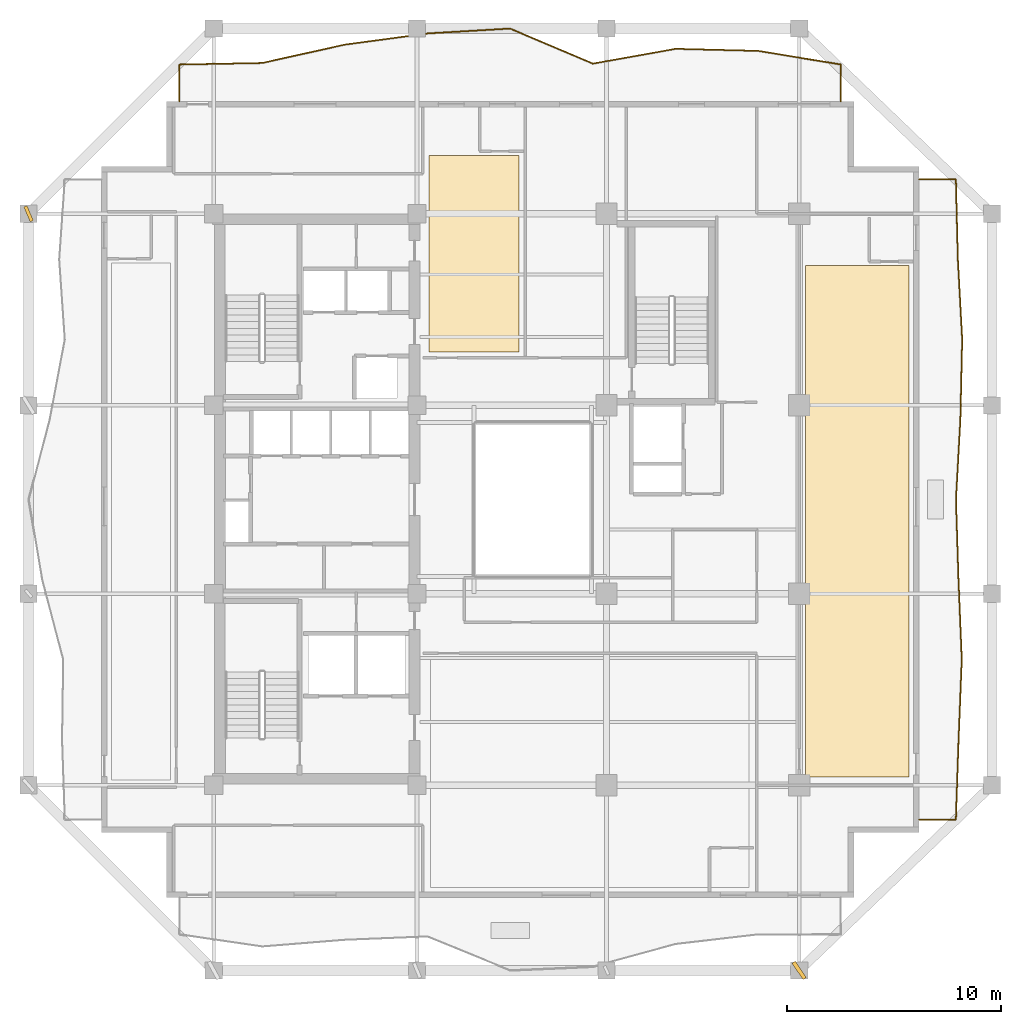
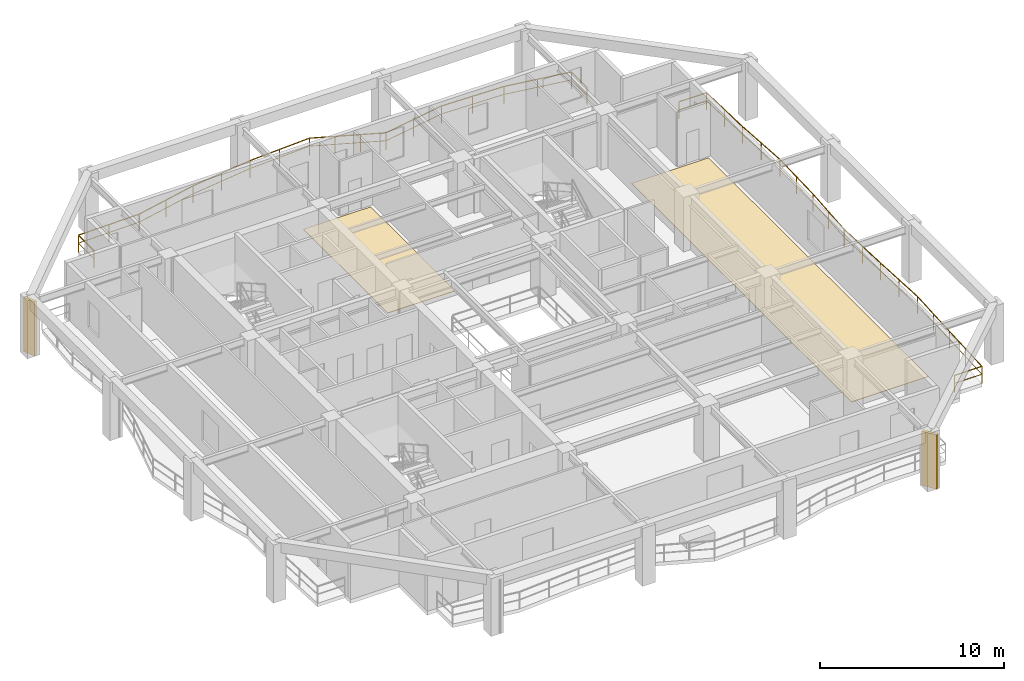
# One storey, part 9 of 10: 2 coverings, 2 railings, 2 shading devices.
"""IFC4 building model written with IfcOpenShell, lengths in metres."""

from ifc_helpers import new_model, si_unit, direction, frame, origin, origin_2d, place, context, subcontext, project, spatial, polyline, rectangle, outline, extrude, material, layer, layer_set, type_object, element, save


model = new_model("IFC4")

# Units and contexts
model_context = context("Model", 3, precision=1e-05, world=origin(), true_north=direction((0.0, 1.0)))
body_context = subcontext(model_context, "Body", "Model", "MODEL_VIEW")
ifc_project = project(units=[si_unit("LENGTHUNIT", "METRE"), si_unit("AREAUNIT", "SQUARE_METRE"), si_unit("VOLUMEUNIT", "CUBIC_METRE"), si_unit("PLANEANGLEUNIT", "RADIAN"), si_unit("MASSUNIT", "GRAM", prefix="KILO")], contexts=[model_context])

# Site, building, storey
site_placement = place(None, origin())
site = spatial("IfcSite", under=ifc_project, at=site_placement, CompositionType="ELEMENT")
building_placement = place(site_placement, origin())
building = spatial("IfcBuilding", under=site, at=building_placement, Name="Kundavana Baori Tower", CompositionType="ELEMENT")
storey_placement = place(building_placement, frame((0.0, 0.0, 107.85009765625)))
storey = spatial("IfcBuildingStorey", under=building, at=storey_placement, Name="L25", CompositionType="ELEMENT", Elevation=107.85009765625)

# Coverings
ifc_material_1 = material(Name="Honed Kota Stone and Terrazzo Flooring", Category="masonry")
ifc_layer = layer(ifc_material_1, 0.030029296875, Name="COV-INT-FLR")
ifc_layer_set = layer_set([ifc_layer], Name="Honed Kota Stone and Terrazzo Flooring")
covering_type = type_object("IfcCoveringType", Name="COV-INT-FLR", PredefinedType="FLOORING", material=ifc_layer_set)
covering_1_placement = place(storey_placement, origin())
element("IfcCovering", 1, at=covering_1_placement, inside=storey, type_object=covering_type, Name="L25 Room Finished Stone Flooring 3", PredefinedType="FLOORING", context=body_context, shape_type="SweptSolid", body=[
    extrude(outline(polyline([(43.10009765625, 15.6298828125), (47.919921875, 15.6298828125), (47.919921875, 39.52001953125), (43.10009765625, 39.52001953125), (43.10009765625, 15.6298828125)])), origin(), (0.0, 0.0, 1.0), 0.02978515625),
])
covering_2_placement = place(storey_placement, origin())
element("IfcCovering", 2, at=covering_2_placement, inside=storey, type_object=covering_type, Name="L25 Room Finished Stone Flooring 4", PredefinedType="FLOORING", context=body_context, shape_type="SweptSolid", body=[
    extrude(outline(polyline([(25.5, 35.5), (29.719970703125, 35.5), (29.719970703125, 44.669921875), (25.5, 44.669921875), (25.5, 35.5)])), origin(), (0.0, 0.0, 1.0), 0.02978515625),
])

# Railings
ifc_material_2 = material(Name="Architectural Patinated Bronze Metalwork")
railing_type = type_object("IfcRailingType", Name="RL-BAL-1150", PredefinedType="BALUSTRADE", material=ifc_material_2)
railing_1_placement = place(storey_placement, frame((48.39990234375, 43.550048828125, 0.0)))
element("IfcRailing", 3, at=railing_1_placement, inside=storey, type_object=railing_type, Name="L25 Loggia Balcony Balustrade E", PredefinedType="BALUSTRADE", context=body_context, shape_type="SweptSolid", body=[
    extrude(rectangle(XDim=0.048095703125, YDim=0.048095703125, at=origin_2d()), frame((0.0, 0.0, 1.1259765625), z_axis=(1.0, 0.0, 0.0), x_axis=(0.0, 1.0, 0.0)), (0.0, 0.0, 1.0), 1.72021484375),
    extrude(rectangle(XDim=0.03125, YDim=0.03125, at=origin_2d()), frame((0.0, 0.0, 0.597900390625), z_axis=(1.0, 0.0, 0.0), x_axis=(0.0, 1.0, 0.0)), (0.0, 0.0, 1.0), 1.72021484375),
    extrude(rectangle(XDim=0.048095703125, YDim=0.048095703125, at=origin_2d()), frame((1.72021484375, 0.0, 1.1259765625), z_axis=(0.025398374515, -0.999677409254, 0.0), x_axis=(0.999677409254, 0.025398374515, 0.0)), (0.0, 0.0, 1.0), 3.7392578125),
    extrude(rectangle(XDim=0.03125, YDim=0.03125, at=origin_2d()), frame((1.72021484375, 0.0, 0.597900390625), z_axis=(0.025398374515, -0.999677409254, 0.0), x_axis=(0.999677409254, 0.025398374515, 0.0)), (0.0, 0.0, 1.0), 3.7392578125),
    extrude(rectangle(XDim=0.048095703125, YDim=0.048095703125, at=origin_2d()), frame((1.815185546875, -3.738037109375, 1.1259765625), z_axis=(0.053948888645, -0.9985436983, 0.0), x_axis=(0.9985436983, 0.053948888645, 0.0)), (0.0, 0.0, 1.0), 3.742431640625),
    extrude(rectangle(XDim=0.03125, YDim=0.03125, at=origin_2d()), frame((1.815185546875, -3.738037109375, 0.597900390625), z_axis=(0.053948888645, -0.9985436983, 0.0), x_axis=(0.9985436983, 0.053948888645, 0.0)), (0.0, 0.0, 1.0), 3.742431640625),
    extrude(rectangle(XDim=0.048095703125, YDim=0.048095703125, at=origin_2d()), frame((2.01708984375, -7.47509765625, 1.1259765625), z_axis=(-0.022722888579, -0.999741801834, 0.0), x_axis=(0.999741801834, -0.022722888579, 0.0)), (0.0, 0.0, 1.0), 3.739013671875),
    extrude(rectangle(XDim=0.03125, YDim=0.03125, at=origin_2d()), frame((2.01708984375, -7.47509765625, 0.597900390625), z_axis=(-0.022722888579, -0.999741801834, 0.0), x_axis=(0.999741801834, -0.022722888579, 0.0)), (0.0, 0.0, 1.0), 3.739013671875),
    extrude(rectangle(XDim=0.048095703125, YDim=0.048095703125, at=origin_2d()), frame((1.93212890625, -11.213134765625, 1.1259765625), z_axis=(-0.0550581327, -0.998483150596, 0.0), x_axis=(0.998483150596, -0.0550581327, 0.0)), (0.0, 0.0, 1.0), 3.742431640625),
    extrude(rectangle(XDim=0.03125, YDim=0.03125, at=origin_2d()), frame((1.93212890625, -11.213134765625, 0.597900390625), z_axis=(-0.0550581327, -0.998483150596, 0.0), x_axis=(0.998483150596, -0.0550581327, 0.0)), (0.0, 0.0, 1.0), 3.742431640625),
    extrude(rectangle(XDim=0.048095703125, YDim=0.048095703125, at=origin_2d()), frame((1.72607421875, -14.949951171875, 1.1259765625), z_axis=(0.031530262639, -0.999502797664, 0.0), x_axis=(0.999502797664, 0.031530262639, 0.0)), (0.0, 0.0, 1.0), 3.739990234375),
    extrude(rectangle(XDim=0.03125, YDim=0.03125, at=origin_2d()), frame((1.72607421875, -14.949951171875, 0.597900390625), z_axis=(0.031530262639, -0.999502797664, 0.0), x_axis=(0.999502797664, 0.031530262639, 0.0)), (0.0, 0.0, 1.0), 3.739990234375),
    extrude(rectangle(XDim=0.048095703125, YDim=0.048095703125, at=origin_2d()), frame((1.843994140625, -18.68798828125, 1.1259765625), z_axis=(0.041187988679, -0.999151414746, 0.0), x_axis=(0.999151414746, 0.041187988679, 0.0)), (0.0, 0.0, 1.0), 3.740234375),
    extrude(rectangle(XDim=0.03125, YDim=0.03125, at=origin_2d()), frame((1.843994140625, -18.68798828125, 0.597900390625), z_axis=(0.041187988679, -0.999151414746, 0.0), x_axis=(0.999151414746, 0.041187988679, 0.0)), (0.0, 0.0, 1.0), 3.740234375),
    extrude(rectangle(XDim=0.048095703125, YDim=0.048095703125, at=origin_2d()), frame((1.998046875, -22.425048828125, 1.1259765625), z_axis=(-0.03980905599, -0.999207305348, 0.0), x_axis=(0.999207305348, -0.03980905599, 0.0)), (0.0, 0.0, 1.0), 3.740966796875),
    extrude(rectangle(XDim=0.03125, YDim=0.03125, at=origin_2d()), frame((1.998046875, -22.425048828125, 0.597900390625), z_axis=(-0.03980905599, -0.999207305348, 0.0), x_axis=(0.999207305348, -0.03980905599, 0.0)), (0.0, 0.0, 1.0), 3.740966796875),
    extrude(rectangle(XDim=0.048095703125, YDim=0.048095703125, at=origin_2d()), frame((1.84912109375, -26.1630859375, 1.1259765625), z_axis=(-0.034473519495, -0.999405611578, 0.0), x_axis=(0.999405611578, -0.034473519495, 0.0)), (0.0, 0.0, 1.0), 3.7392578125),
    extrude(rectangle(XDim=0.03125, YDim=0.03125, at=origin_2d()), frame((1.84912109375, -26.1630859375, 0.597900390625), z_axis=(-0.034473519495, -0.999405611578, 0.0), x_axis=(0.999405611578, -0.034473519495, 0.0)), (0.0, 0.0, 1.0), 3.7392578125),
    extrude(rectangle(XDim=0.048095703125, YDim=0.048095703125, at=origin_2d()), frame((1.72021484375, -29.900146484375, 1.1259765625), z_axis=(-1.0, 0.0, 0.0), x_axis=(0.0, -1.0, 0.0)), (0.0, 0.0, 1.0), 1.72021484375),
    extrude(rectangle(XDim=0.03125, YDim=0.03125, at=origin_2d()), frame((1.72021484375, -29.900146484375, 0.597900390625), z_axis=(-1.0, 0.0, 0.0), x_axis=(0.0, -1.0, 0.0)), (0.0, 0.0, 1.0), 1.72021484375),
    extrude(rectangle(XDim=0.0419921875, YDim=0.0419921875, at=origin_2d()), origin(), (0.0, 0.0, 1.0), 1.101806640625),
    extrude(rectangle(XDim=0.0419921875, YDim=0.0419921875, at=origin_2d()), frame((1.72021484375, 0.0, 0.0)), (0.0, 0.0, 1.0), 1.101806640625),
    extrude(rectangle(XDim=0.0419921875, YDim=0.0419921875, at=origin_2d()), frame((1.767578125, -1.869140625, 0.0)), (0.0, 0.0, 1.0), 1.101806640625),
    extrude(rectangle(XDim=0.0419921875, YDim=0.0419921875, at=origin_2d()), frame((1.815185546875, -3.738037109375, 0.0)), (0.0, 0.0, 1.0), 1.101806640625),
    extrude(rectangle(XDim=0.0419921875, YDim=0.0419921875, at=origin_2d()), frame((1.916015625, -5.6064453125, 0.0)), (0.0, 0.0, 1.0), 1.101806640625),
    extrude(rectangle(XDim=0.0419921875, YDim=0.0419921875, at=origin_2d()), frame((2.01708984375, -7.47509765625, 0.0)), (0.0, 0.0, 1.0), 1.101806640625),
    extrude(rectangle(XDim=0.0419921875, YDim=0.0419921875, at=origin_2d()), frame((1.974609375, -9.34423828125, 0.0)), (0.0, 0.0, 1.0), 1.101806640625),
    extrude(rectangle(XDim=0.0419921875, YDim=0.0419921875, at=origin_2d()), frame((1.93212890625, -11.213134765625, 0.0)), (0.0, 0.0, 1.0), 1.101806640625),
    extrude(rectangle(XDim=0.0419921875, YDim=0.0419921875, at=origin_2d()), frame((1.8291015625, -13.08154296875, 0.0)), (0.0, 0.0, 1.0), 1.101806640625),
    extrude(rectangle(XDim=0.0419921875, YDim=0.0419921875, at=origin_2d()), frame((1.72607421875, -14.949951171875, 0.0)), (0.0, 0.0, 1.0), 1.101806640625),
    extrude(rectangle(XDim=0.0419921875, YDim=0.0419921875, at=origin_2d()), frame((1.78515625, -16.81884765625, 0.0)), (0.0, 0.0, 1.0), 1.101806640625),
    extrude(rectangle(XDim=0.0419921875, YDim=0.0419921875, at=origin_2d()), frame((1.843994140625, -18.68798828125, 0.0)), (0.0, 0.0, 1.0), 1.101806640625),
    extrude(rectangle(XDim=0.0419921875, YDim=0.0419921875, at=origin_2d()), frame((1.9208984375, -20.556640625, 0.0)), (0.0, 0.0, 1.0), 1.101806640625),
    extrude(rectangle(XDim=0.0419921875, YDim=0.0419921875, at=origin_2d()), frame((1.998046875, -22.425048828125, 0.0)), (0.0, 0.0, 1.0), 1.101806640625),
    extrude(rectangle(XDim=0.0419921875, YDim=0.0419921875, at=origin_2d()), frame((1.923583984375, -24.2939453125, 0.0)), (0.0, 0.0, 1.0), 1.101806640625),
    extrude(rectangle(XDim=0.0419921875, YDim=0.0419921875, at=origin_2d()), frame((1.84912109375, -26.1630859375, 0.0)), (0.0, 0.0, 1.0), 1.101806640625),
    extrude(rectangle(XDim=0.0419921875, YDim=0.0419921875, at=origin_2d()), frame((1.78466796875, -28.03173828125, 0.0)), (0.0, 0.0, 1.0), 1.101806640625),
    extrude(rectangle(XDim=0.0419921875, YDim=0.0419921875, at=origin_2d()), frame((1.72021484375, -29.900146484375, 0.0)), (0.0, 0.0, 1.0), 1.101806640625),
    extrude(rectangle(XDim=0.0419921875, YDim=0.0419921875, at=origin_2d()), frame((0.0, -29.900146484375, 0.0)), (0.0, 0.0, 1.0), 1.101806640625),
])
railing_2_placement = place(storey_placement, frame((13.85009765625, 47.199951171875, 0.0)))
element("IfcRailing", 4, at=railing_2_placement, inside=storey, type_object=railing_type, Name="L25 Loggia Balcony Balustrade N", PredefinedType="BALUSTRADE", context=body_context, shape_type="SweptSolid", body=[
    extrude(rectangle(XDim=0.048095703125, YDim=0.048095703125, at=origin_2d()), frame((0.0, 0.0, 1.1259765625), z_axis=(0.0, 1.0, 0.0), x_axis=(-1.0, 0.0, 0.0)), (0.0, 0.0, 1.0), 1.719970703125),
    extrude(rectangle(XDim=0.03125, YDim=0.03125, at=origin_2d()), frame((0.0, 0.0, 0.597900390625), z_axis=(0.0, 1.0, 0.0), x_axis=(-1.0, 0.0, 0.0)), (0.0, 0.0, 1.0), 1.719970703125),
    extrude(rectangle(XDim=0.048095703125, YDim=0.048095703125, at=origin_2d()), frame((0.0, 1.719970703125, 1.1259765625), z_axis=(0.999816585941, 0.019151879222, 0.0), x_axis=(-0.019151879222, 0.999816585941, 0.0)), (0.0, 0.0, 1.0), 3.862548828125),
    extrude(rectangle(XDim=0.03125, YDim=0.03125, at=origin_2d()), frame((0.0, 1.719970703125, 0.597900390625), z_axis=(0.999816585941, 0.019151879222, 0.0), x_axis=(-0.019151879222, 0.999816585941, 0.0)), (0.0, 0.0, 1.0), 3.862548828125),
    extrude(rectangle(XDim=0.048095703125, YDim=0.048095703125, at=origin_2d()), frame((3.86181640625, 1.7939453125, 1.1259765625), z_axis=(0.976255243171, 0.216623406356, 0.0), x_axis=(-0.216623406356, 0.976255243171, 0.0)), (0.0, 0.0, 1.0), 3.95703125),
    extrude(rectangle(XDim=0.03125, YDim=0.03125, at=origin_2d()), frame((3.86181640625, 1.7939453125, 0.597900390625), z_axis=(0.976255243171, 0.216623406356, 0.0), x_axis=(-0.216623406356, 0.976255243171, 0.0)), (0.0, 0.0, 1.0), 3.95703125),
    extrude(rectangle(XDim=0.048095703125, YDim=0.048095703125, at=origin_2d()), frame((7.724853515625, 2.651123046875, 1.1259765625), z_axis=(0.991027665909, 0.133656894334, 0.0), x_axis=(-0.133656894334, 0.991027665909, 0.0)), (0.0, 0.0, 1.0), 3.89794921875),
    extrude(rectangle(XDim=0.03125, YDim=0.03125, at=origin_2d()), frame((7.724853515625, 2.651123046875, 0.597900390625), z_axis=(0.991027665909, 0.133656894334, 0.0), x_axis=(-0.133656894334, 0.991027665909, 0.0)), (0.0, 0.0, 1.0), 3.89794921875),
    extrude(rectangle(XDim=0.048095703125, YDim=0.048095703125, at=origin_2d()), frame((11.587890625, 3.172119140625, 1.1259765625), z_axis=(0.998261510667, 0.058940277575, 0.0), x_axis=(-0.058940277575, 0.998261510667, 0.0)), (0.0, 0.0, 1.0), 3.868896484375),
    extrude(rectangle(XDim=0.03125, YDim=0.03125, at=origin_2d()), frame((11.587890625, 3.172119140625, 0.597900390625), z_axis=(0.998261510667, 0.058940277575, 0.0), x_axis=(-0.058940277575, 0.998261510667, 0.0)), (0.0, 0.0, 1.0), 3.868896484375),
    extrude(rectangle(XDim=0.048095703125, YDim=0.048095703125, at=origin_2d()), frame((15.449951171875, 3.400146484375, 1.1259765625), z_axis=(0.920640091111, -0.390412375109, 0.0), x_axis=(0.390412375109, 0.920640091111, 0.0)), (0.0, 0.0, 1.0), 4.196044921875),
    extrude(rectangle(XDim=0.03125, YDim=0.03125, at=origin_2d()), frame((15.449951171875, 3.400146484375, 0.597900390625), z_axis=(0.920640091111, -0.390412375109, 0.0), x_axis=(0.390412375109, 0.920640091111, 0.0)), (0.0, 0.0, 1.0), 4.196044921875),
    extrude(rectangle(XDim=0.048095703125, YDim=0.048095703125, at=origin_2d()), frame((19.31298828125, 1.761962890625, 1.1259765625), z_axis=(0.984272594142, 0.176656334225, 0.0), x_axis=(-0.176656334225, 0.984272594142, 0.0)), (0.0, 0.0, 1.0), 3.923583984375),
    extrude(rectangle(XDim=0.03125, YDim=0.03125, at=origin_2d()), frame((19.31298828125, 1.761962890625, 0.597900390625), z_axis=(0.984272594142, 0.176656334225, 0.0), x_axis=(-0.176656334225, 0.984272594142, 0.0)), (0.0, 0.0, 1.0), 3.923583984375),
    extrude(rectangle(XDim=0.048095703125, YDim=0.048095703125, at=origin_2d()), frame((23.1748046875, 2.455078125, 1.1259765625), z_axis=(0.999691541974, -0.024835879385, 0.0), x_axis=(0.024835879385, 0.999691541974, 0.0)), (0.0, 0.0, 1.0), 3.86328125),
    extrude(rectangle(XDim=0.03125, YDim=0.03125, at=origin_2d()), frame((23.1748046875, 2.455078125, 0.597900390625), z_axis=(0.999691541974, -0.024835879385, 0.0), x_axis=(0.024835879385, 0.999691541974, 0.0)), (0.0, 0.0, 1.0), 3.86328125),
    extrude(rectangle(XDim=0.048095703125, YDim=0.048095703125, at=origin_2d()), frame((27.036865234375, 2.359130859375, 1.1259765625), z_axis=(0.986587033545, -0.16323610275, 0.0), x_axis=(0.16323610275, 0.986587033545, 0.0)), (0.0, 0.0, 1.0), 3.91552734375),
    extrude(rectangle(XDim=0.03125, YDim=0.03125, at=origin_2d()), frame((27.036865234375, 2.359130859375, 0.597900390625), z_axis=(0.986587033545, -0.16323610275, 0.0), x_axis=(0.16323610275, 0.986587033545, 0.0)), (0.0, 0.0, 1.0), 3.91552734375),
    extrude(rectangle(XDim=0.048095703125, YDim=0.048095703125, at=origin_2d()), frame((30.89990234375, 1.719970703125, 1.1259765625), z_axis=(0.0, -1.0, 0.0), x_axis=(1.0, 0.0, 0.0)), (0.0, 0.0, 1.0), 1.719970703125),
    extrude(rectangle(XDim=0.03125, YDim=0.03125, at=origin_2d()), frame((30.89990234375, 1.719970703125, 0.597900390625), z_axis=(0.0, -1.0, 0.0), x_axis=(1.0, 0.0, 0.0)), (0.0, 0.0, 1.0), 1.719970703125),
    extrude(rectangle(XDim=0.0419921875, YDim=0.0419921875, at=origin_2d()), origin(), (0.0, 0.0, 1.0), 1.101806640625),
    extrude(rectangle(XDim=0.0419921875, YDim=0.0419921875, at=origin_2d()), frame((0.0, 1.719970703125, 0.0)), (0.0, 0.0, 1.0), 1.101806640625),
    extrude(rectangle(XDim=0.0419921875, YDim=0.0419921875, at=origin_2d()), frame((1.930908203125, 1.7568359375, 0.0)), (0.0, 0.0, 1.0), 1.101806640625),
    extrude(rectangle(XDim=0.0419921875, YDim=0.0419921875, at=origin_2d()), frame((3.86181640625, 1.7939453125, 0.0)), (0.0, 0.0, 1.0), 1.101806640625),
    extrude(rectangle(XDim=0.0419921875, YDim=0.0419921875, at=origin_2d()), frame((5.79345703125, 2.22265625, 0.0)), (0.0, 0.0, 1.0), 1.101806640625),
    extrude(rectangle(XDim=0.0419921875, YDim=0.0419921875, at=origin_2d()), frame((7.724853515625, 2.651123046875, 0.0)), (0.0, 0.0, 1.0), 1.101806640625),
    extrude(rectangle(XDim=0.0419921875, YDim=0.0419921875, at=origin_2d()), frame((9.65625, 2.91162109375, 0.0)), (0.0, 0.0, 1.0), 1.101806640625),
    extrude(rectangle(XDim=0.0419921875, YDim=0.0419921875, at=origin_2d()), frame((11.587890625, 3.172119140625, 0.0)), (0.0, 0.0, 1.0), 1.101806640625),
    extrude(rectangle(XDim=0.0419921875, YDim=0.0419921875, at=origin_2d()), frame((13.51904296875, 3.2861328125, 0.0)), (0.0, 0.0, 1.0), 1.101806640625),
    extrude(rectangle(XDim=0.0419921875, YDim=0.0419921875, at=origin_2d()), frame((15.449951171875, 3.400146484375, 0.0)), (0.0, 0.0, 1.0), 1.101806640625),
    extrude(rectangle(XDim=0.0419921875, YDim=0.0419921875, at=origin_2d()), frame((16.737548828125, 2.85400390625, 0.0)), (0.0, 0.0, 1.0), 1.101806640625),
    extrude(rectangle(XDim=0.0419921875, YDim=0.0419921875, at=origin_2d()), frame((18.025390625, 2.30810546875, 0.0)), (0.0, 0.0, 1.0), 1.101806640625),
    extrude(rectangle(XDim=0.0419921875, YDim=0.0419921875, at=origin_2d()), frame((19.31298828125, 1.761962890625, 0.0)), (0.0, 0.0, 1.0), 1.101806640625),
    extrude(rectangle(XDim=0.0419921875, YDim=0.0419921875, at=origin_2d()), frame((21.243896484375, 2.1083984375, 0.0)), (0.0, 0.0, 1.0), 1.101806640625),
    extrude(rectangle(XDim=0.0419921875, YDim=0.0419921875, at=origin_2d()), frame((23.1748046875, 2.455078125, 0.0)), (0.0, 0.0, 1.0), 1.101806640625),
    extrude(rectangle(XDim=0.0419921875, YDim=0.0419921875, at=origin_2d()), frame((25.10595703125, 2.4072265625, 0.0)), (0.0, 0.0, 1.0), 1.101806640625),
    extrude(rectangle(XDim=0.0419921875, YDim=0.0419921875, at=origin_2d()), frame((27.036865234375, 2.359130859375, 0.0)), (0.0, 0.0, 1.0), 1.101806640625),
    extrude(rectangle(XDim=0.0419921875, YDim=0.0419921875, at=origin_2d()), frame((28.96826171875, 2.03955078125, 0.0)), (0.0, 0.0, 1.0), 1.101806640625),
    extrude(rectangle(XDim=0.0419921875, YDim=0.0419921875, at=origin_2d()), frame((30.89990234375, 1.719970703125, 0.0)), (0.0, 0.0, 1.0), 1.101806640625),
    extrude(rectangle(XDim=0.0419921875, YDim=0.0419921875, at=origin_2d()), frame((30.89990234375, 0.0, 0.0)), (0.0, 0.0, 1.0), 1.101806640625),
])

# Shading devices
ifc_material_3 = material(Name="Red-Buff Dholpur Sandstone Cladding on Concrete C40/50", Category="masonry")
shading_device_type_1 = type_object("IfcShadingDeviceType", Name="SHD-FIN-750", PredefinedType="JALOUSIE", material=ifc_material_3)
shading_device_1_placement = place(storey_placement, frame((6.800048828125, 41.949951171875, -0.000244140625), z_axis=(0.0, 0.0, 1.0), x_axis=(0.91796244602, 0.396667301018, 0.0)))
element("IfcShadingDevice", 5, at=shading_device_1_placement, inside=storey, type_object=shading_device_type_1, Name="L25 Sweeping Dholpur Sandstone Facade Fin 8", PredefinedType="JALOUSIE", context=body_context, shape_type="SweptSolid", body=[
    extrude(rectangle(XDim=0.159912109375, YDim=0.75, at=origin_2d()), origin(), (0.0, 0.0, 1.0), 3.60009765625),
])
ifc_material_4 = material(Name="Red-Buff Dholpur Sandstone Cladding on Concrete C40/50", Category="masonry")
shading_device_type_2 = type_object("IfcShadingDeviceType", Name="SHD-FIN-920", PredefinedType="JALOUSIE", material=ifc_material_4)
shading_device_2_placement = place(storey_placement, frame((42.800048828125, 6.60009765625, -0.000244140625), z_axis=(0.0, 0.0, 1.0), x_axis=(0.830693079675, 0.556730641675, 0.0)))
element("IfcShadingDevice", 6, at=shading_device_2_placement, inside=storey, type_object=shading_device_type_2, Name="L25 Sweeping Dholpur Sandstone Facade Fin 4", PredefinedType="JALOUSIE", context=body_context, shape_type="SweptSolid", body=[
    extrude(rectangle(XDim=0.179931640625, YDim=0.919921875, at=origin_2d()), origin(), (0.0, 0.0, 1.0), 3.60009765625),
])

save(model, "model.ifc")
